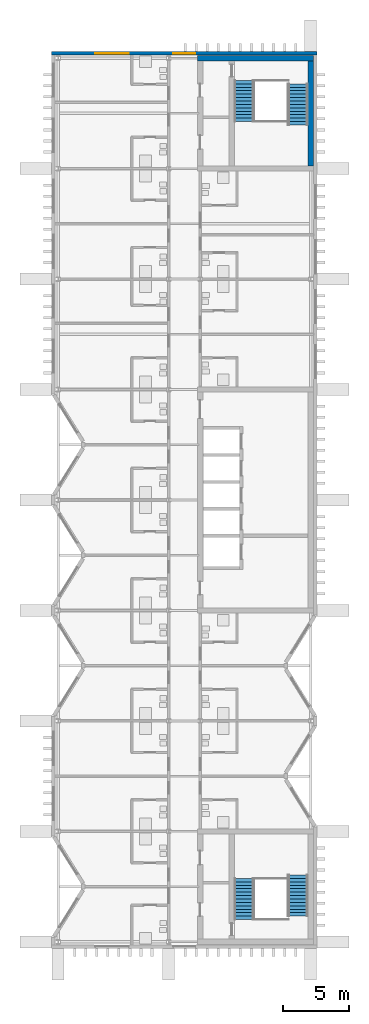
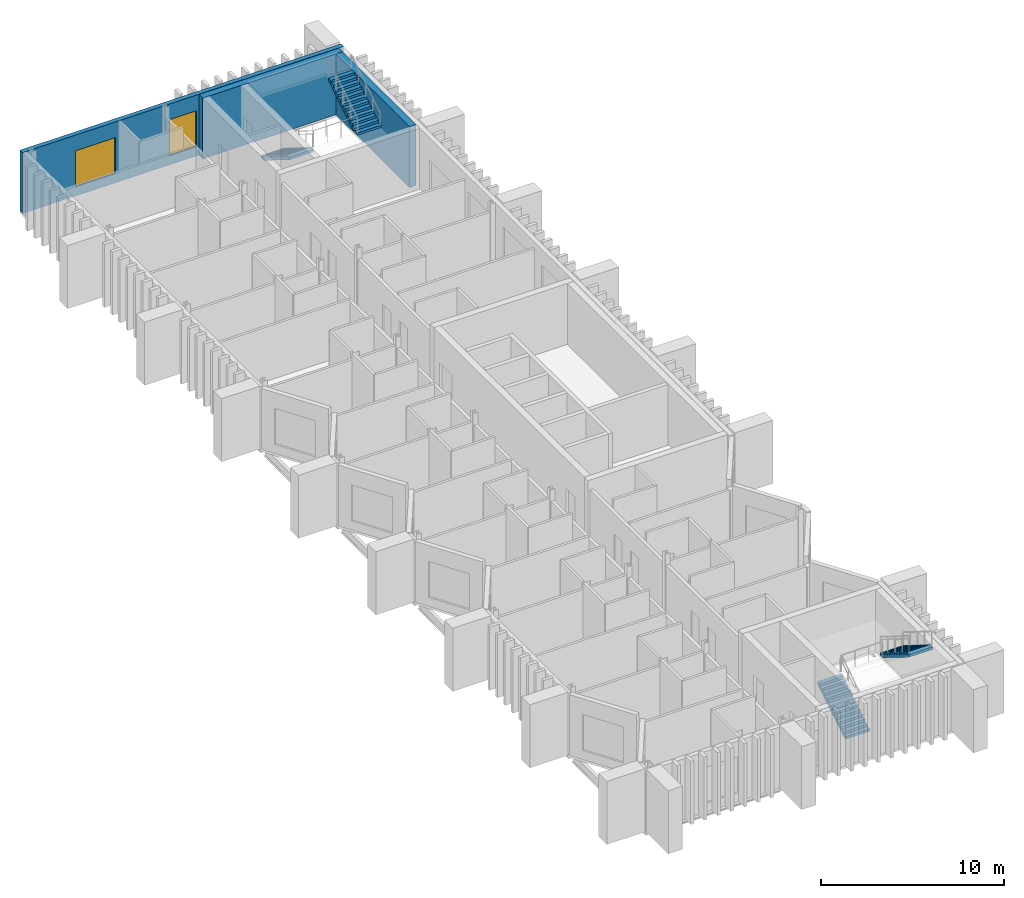
# One storey, part 9 of 11: 4 stair flights, 3 walls, 2 windows, 2 openings, 2 elements without a shape of their own.
"""IFC4 building model written with IfcOpenShell, lengths in metres."""

from ifc_helpers import new_model, si_unit, direction, frame, frame_2d, origin, place, context, subcontext, project, spatial, polyline, rectangle, outline, extrude, material, layer, layer_set, type_object, element, fill, aggregate, save


model = new_model("IFC4")

# Units and contexts
model_context = context("Model", 3, precision=1e-05, world=origin(), true_north=direction((0.0, 1.0)))
body_context = subcontext(model_context, "Body", "Model", "MODEL_VIEW")
ifc_project = project(units=[si_unit("LENGTHUNIT", "METRE"), si_unit("AREAUNIT", "SQUARE_METRE"), si_unit("VOLUMEUNIT", "CUBIC_METRE"), si_unit("PLANEANGLEUNIT", "RADIAN"), si_unit("MASSUNIT", "GRAM", prefix="KILO")], contexts=[model_context])

# Site, building, storey
site_placement = place(None, origin())
site = spatial("IfcSite", under=ifc_project, at=site_placement, CompositionType="ELEMENT")
building_placement = place(site_placement, origin())
building = spatial("IfcBuilding", under=site, at=building_placement, Name="Cresset Court Congress Hotel", CompositionType="ELEMENT")
storey_placement = place(building_placement, frame((0.0, 0.0, 52.199951171875)))
storey = spatial("IfcBuildingStorey", under=building, at=storey_placement, Name="L12", CompositionType="ELEMENT", Elevation=52.199951171875)

# Wall, openings, windows
ifc_material_1 = material(Name="Precast concrete C50", Category="concrete")
ifc_layer_1 = layer(ifc_material_1, 0.280029296875)
ifc_layer_set_1 = layer_set([ifc_layer_1], Name="Gable end wall 280")
wall_type_1 = type_object("IfcWallType", Name="Gable end wall 280", PredefinedType="SOLIDWALL", material=ifc_layer_set_1)
wall_1_placement = place(storey_placement, frame((156.699951171875, 67.56005859375, 0.0), z_axis=(0.0, 0.0, 1.0), x_axis=(1.0, 0.0, 0.0)))
wall_1 = element("IfcWall", 1, at=wall_1_placement, inside=storey, type_object=wall_type_1, Name="A.ew.L12.N.1", PredefinedType="SOLIDWALL", context=body_context, shape_type="SweptSolid", body=[
    extrude(rectangle(XDim=20.199951171875, YDim=0.280029296875, at=frame_2d((10.10009765625, 0.0))), origin(), (0.0, 0.0, 1.0), 4.050048828125),
])
opening_1_placement = place(wall_1_placement, frame((9.260009765625, 0.0, 0.60009765625)))
opening_1 = element("IfcOpeningElement", 2, at=opening_1_placement, cuts=wall_1, Name="Opening NA-12-27", PredefinedType="OPENING", context=body_context, shape_type="SweptSolid", body=[
    extrude(rectangle(XDim=1.679931640625, YDim=2.39990234375, at=frame_2d((0.83984375, 1.199951171875))), frame((0.0, 0.14990234375, 0.0), z_axis=(0.0, -1.0, 0.0), x_axis=(1.0, 0.0, 0.0)), (0.0, 0.0, 1.0), 0.300048828125),
])
opening_2_placement = place(wall_1_placement, frame((3.340087890625, 0.0, 0.60009765625)))
opening_2 = element("IfcOpeningElement", 3, at=opening_2_placement, cuts=wall_1, Name="Opening NA-12-28", PredefinedType="OPENING", context=body_context, shape_type="SweptSolid", body=[
    extrude(rectangle(XDim=2.52001953125, YDim=2.39990234375, at=frame_2d((1.260009765625, 1.199951171875))), frame((0.0, 0.14990234375, 0.0), z_axis=(0.0, -1.0, 0.0), x_axis=(1.0, 0.0, 0.0)), (0.0, 0.0, 1.0), 0.300048828125),
])
ifc_material_2 = material(Name="Aluminium and glass", Category="aluminium")
window_type_1 = type_object("IfcWindowType", Name="Window 1680x2400", PartitioningType="SINGLE_PANEL", PredefinedType="WINDOW", material=ifc_material_2)
window_1_placement = place(opening_1_placement, origin())
window_1 = element("IfcWindow", 4, at=window_1_placement, inside=storey, type_object=window_type_1, Name="Window NA-12-27", OverallHeight=2.39990234375, OverallWidth=1.679931640625, PartitioningType="SINGLE_PANEL", PredefinedType="WINDOW", context=body_context, shape_type="SweptSolid", body=[
    extrude(rectangle(XDim=1.679931640625, YDim=2.39990234375, at=frame_2d((0.83984375, 1.199951171875))), frame((0.0, 0.030029296875, 0.0), z_axis=(0.0, -1.0, 0.0), x_axis=(1.0, 0.0, 0.0)), (0.0, 0.0, 1.0), 0.06005859375),
])
fill(opening_1, window_1)
ifc_material_3 = material(Name="Aluminium and glass", Category="aluminium")
window_type_2 = type_object("IfcWindowType", Name="Window 2520x2400", PartitioningType="SINGLE_PANEL", PredefinedType="WINDOW", material=ifc_material_3)
window_2_placement = place(opening_2_placement, origin())
window_2 = element("IfcWindow", 5, at=window_2_placement, inside=storey, type_object=window_type_2, Name="Window NA-12-28", OverallHeight=2.39990234375, OverallWidth=2.52001953125, PartitioningType="SINGLE_PANEL", PredefinedType="WINDOW", context=body_context, shape_type="SweptSolid", body=[
    extrude(rectangle(XDim=2.52001953125, YDim=2.39990234375, at=frame_2d((1.260009765625, 1.199951171875))), frame((0.0, 0.030029296875, 0.0), z_axis=(0.0, -1.0, 0.0), x_axis=(1.0, 0.0, 0.0)), (0.0, 0.0, 1.0), 0.06005859375),
])
fill(opening_2, window_2)

# Walls
ifc_material_4 = material(Name="Concrete C50", Category="concrete")
ifc_layer_2 = layer(ifc_material_4, 0.39990234375)
ifc_layer_set_2 = layer_set([ifc_layer_2], Name="Stair core wall 400")
wall_type_2 = type_object("IfcWallType", Name="Stair core wall 400", PredefinedType="SOLIDWALL", material=ifc_layer_set_2)
wall_2_placement = place(storey_placement, frame((167.800048828125, 67.199951171875, 0.0), z_axis=(0.0, 0.0, 1.0), x_axis=(1.0, 0.0, 0.0)))
element("IfcWall", 6, at=wall_2_placement, inside=storey, type_object=wall_type_2, Name="A.cw.ST-A2.L12.N", PredefinedType="SOLIDWALL", context=body_context, shape_type="SweptSolid", body=[
    extrude(rectangle(XDim=8.800048828125, YDim=0.39990234375, at=frame_2d((4.39990234375, 0.0))), origin(), (0.0, 0.0, 1.0), 4.050048828125),
])
wall_3_placement = place(storey_placement, frame((176.39990234375, 59.0, 0.0), z_axis=(0.0, 0.0, 1.0), x_axis=(0.0, 1.0, 0.0)))
element("IfcWall", 7, at=wall_3_placement, inside=storey, type_object=wall_type_2, Name="A.cw.ST-A2.L12.E", PredefinedType="SOLIDWALL", context=body_context, shape_type="SweptSolid", body=[
    extrude(rectangle(XDim=8.0, YDim=0.39990234375, at=frame_2d((4.0, 0.0))), origin(), (0.0, 0.0, 1.0), 4.050048828125),
])

# Stair, stair flights
ifc_material_5 = material(Name="Concrete C40", Category="concrete")
stair_type = type_object("IfcStairType", Name="Concrete dog-leg stair 5600", PredefinedType="HALF_TURN_STAIR", material=ifc_material_5)
stair_1_placement = place(storey_placement, origin())
stair_1 = element("IfcStair", 8, at=stair_1_placement, inside=storey, type_object=stair_type, Name="Stair A1 L12", PredefinedType="HALF_TURN_STAIR")
ifc_material_6 = material(Name="Concrete C40", Category="concrete")
stair_flight_type = type_object("IfcStairFlightType", Name="Concrete stair flight", PredefinedType="STRAIGHT", material=ifc_material_6)
stair_flight_1_placement = place(storey_placement, frame((171.35009765625, 1.699951171875, 0.0), z_axis=(0.0, 0.0, 1.0), x_axis=(0.0, 1.0, 0.0)))
stair_flight_1 = element("IfcStairFlight", 9, at=stair_flight_1_placement, type_object=stair_flight_type, Name="A-ST1 flight 1", NumberOfRisers=13, NumberOfTreads=12, PredefinedType="STRAIGHT", RiserHeight=0.161538462, TreadLength=0.26, context=body_context, shape_type="SweptSolid", body=[
    extrude(outline(polyline([(0.0, 0.0), (0.0, 0.16162109375), (0.260009765625, 0.16162109375), (0.260009765625, 0.322998046875), (0.52001953125, 0.322998046875), (0.52001953125, 0.484619140625), (0.780029296875, 0.484619140625), (0.780029296875, 0.646240234375), (1.0400390625, 0.646240234375), (1.0400390625, 0.8076171875), (1.300048828125, 0.8076171875), (1.300048828125, 0.96923828125), (1.56005859375, 0.96923828125), (1.56005859375, 1.130859375), (1.820068359375, 1.130859375), (1.820068359375, 1.292236328125), (2.080078125, 1.292236328125), (2.080078125, 1.453857421875), (2.340087890625, 1.453857421875), (2.340087890625, 1.615478515625), (2.60009765625, 1.615478515625), (2.60009765625, 1.77685546875), (2.860107421875, 1.77685546875), (2.860107421875, 1.9384765625), (3.1201171875, 1.9384765625), (3.1201171875, 2.10009765625), (3.1201171875, 1.761962890625), (0.283935546875, 0.0), (0.0, 0.0)])), frame((0.0, 0.75, 0.0), z_axis=(0.0, -1.0, 0.0), x_axis=(1.0, 0.0, 0.0)), (0.0, 0.0, 1.0), 1.5),
])
stair_flight_2_placement = place(storey_placement, frame((175.449951171875, 5.080078125, 2.10009765625), z_axis=(0.0, 0.0, 1.0), x_axis=(0.0, -1.0, 0.0)))
stair_flight_2 = element("IfcStairFlight", 10, at=stair_flight_2_placement, type_object=stair_flight_type, Name="A-ST1 flight 2", NumberOfRisers=13, NumberOfTreads=12, PredefinedType="STRAIGHT", RiserHeight=0.161538462, TreadLength=0.26, context=body_context, shape_type="SweptSolid", body=[
    extrude(outline(polyline([(0.0, 0.0), (0.0, 0.16162109375), (0.260009765625, 0.16162109375), (0.260009765625, 0.322998046875), (0.52001953125, 0.322998046875), (0.52001953125, 0.484619140625), (0.780029296875, 0.484619140625), (0.780029296875, 0.646240234375), (1.0400390625, 0.646240234375), (1.0400390625, 0.8076171875), (1.300048828125, 0.8076171875), (1.300048828125, 0.96923828125), (1.56005859375, 0.96923828125), (1.56005859375, 1.130859375), (1.820068359375, 1.130859375), (1.820068359375, 1.292236328125), (2.080078125, 1.292236328125), (2.080078125, 1.453857421875), (2.340087890625, 1.453857421875), (2.340087890625, 1.615478515625), (2.60009765625, 1.615478515625), (2.60009765625, 1.77685546875), (2.860107421875, 1.77685546875), (2.860107421875, 1.9384765625), (3.1201171875, 1.9384765625), (3.1201171875, 2.10009765625), (3.1201171875, 1.761962890625), (0.283935546875, 0.0), (0.0, 0.0)])), frame((0.0, 0.75, 0.0), z_axis=(0.0, -1.0, 0.0), x_axis=(1.0, 0.0, 0.0)), (0.0, 0.0, 1.0), 1.5),
])
aggregate(stair_1, [stair_flight_1, stair_flight_2])

stair_2_placement = place(storey_placement, origin())
stair_2 = element("IfcStair", 11, at=stair_2_placement, inside=storey, type_object=stair_type, Name="Stair A2 L12", PredefinedType="HALF_TURN_STAIR")
stair_flight_3_placement = place(storey_placement, frame((171.35009765625, 65.5, 0.0), z_axis=(0.0, 0.0, 1.0), x_axis=(0.0, -1.0, 0.0)))
stair_flight_3 = element("IfcStairFlight", 12, at=stair_flight_3_placement, type_object=stair_flight_type, Name="A-ST1 flight 1", NumberOfRisers=13, NumberOfTreads=12, PredefinedType="STRAIGHT", RiserHeight=0.161538462, TreadLength=0.26, context=body_context, shape_type="SweptSolid", body=[
    extrude(outline(polyline([(0.0, 0.0), (0.0, 0.16162109375), (0.260009765625, 0.16162109375), (0.260009765625, 0.322998046875), (0.52001953125, 0.322998046875), (0.52001953125, 0.484619140625), (0.780029296875, 0.484619140625), (0.780029296875, 0.646240234375), (1.0400390625, 0.646240234375), (1.0400390625, 0.8076171875), (1.300048828125, 0.8076171875), (1.300048828125, 0.96923828125), (1.56005859375, 0.96923828125), (1.56005859375, 1.130859375), (1.820068359375, 1.130859375), (1.820068359375, 1.292236328125), (2.080078125, 1.292236328125), (2.080078125, 1.453857421875), (2.340087890625, 1.453857421875), (2.340087890625, 1.615478515625), (2.60009765625, 1.615478515625), (2.60009765625, 1.77685546875), (2.860107421875, 1.77685546875), (2.860107421875, 1.9384765625), (3.1201171875, 1.9384765625), (3.1201171875, 2.10009765625), (3.1201171875, 1.761962890625), (0.283935546875, 0.0), (0.0, 0.0)])), frame((0.0, 0.75, 0.0), z_axis=(0.0, -1.0, 0.0), x_axis=(1.0, 0.0, 0.0)), (0.0, 0.0, 1.0), 1.5),
])
stair_flight_4_placement = place(storey_placement, frame((175.449951171875, 62.1201171875, 2.10009765625), z_axis=(0.0, 0.0, 1.0), x_axis=(0.0, 1.0, 0.0)))
stair_flight_4 = element("IfcStairFlight", 13, at=stair_flight_4_placement, type_object=stair_flight_type, Name="A-ST1 flight 2", NumberOfRisers=13, NumberOfTreads=12, PredefinedType="STRAIGHT", RiserHeight=0.161538462, TreadLength=0.26, context=body_context, shape_type="SweptSolid", body=[
    extrude(outline(polyline([(0.0, 0.0), (0.0, 0.16162109375), (0.260009765625, 0.16162109375), (0.260009765625, 0.322998046875), (0.52001953125, 0.322998046875), (0.52001953125, 0.484619140625), (0.780029296875, 0.484619140625), (0.780029296875, 0.646240234375), (1.0400390625, 0.646240234375), (1.0400390625, 0.8076171875), (1.300048828125, 0.8076171875), (1.300048828125, 0.96923828125), (1.56005859375, 0.96923828125), (1.56005859375, 1.130859375), (1.820068359375, 1.130859375), (1.820068359375, 1.292236328125), (2.080078125, 1.292236328125), (2.080078125, 1.453857421875), (2.340087890625, 1.453857421875), (2.340087890625, 1.615478515625), (2.60009765625, 1.615478515625), (2.60009765625, 1.77685546875), (2.860107421875, 1.77685546875), (2.860107421875, 1.9384765625), (3.1201171875, 1.9384765625), (3.1201171875, 2.10009765625), (3.1201171875, 1.761962890625), (0.283935546875, 0.0), (0.0, 0.0)])), frame((0.0, 0.75, 0.0), z_axis=(0.0, -1.0, 0.0), x_axis=(1.0, 0.0, 0.0)), (0.0, 0.0, 1.0), 1.5),
])
aggregate(stair_2, [stair_flight_3, stair_flight_4])

save(model, "model.ifc")
